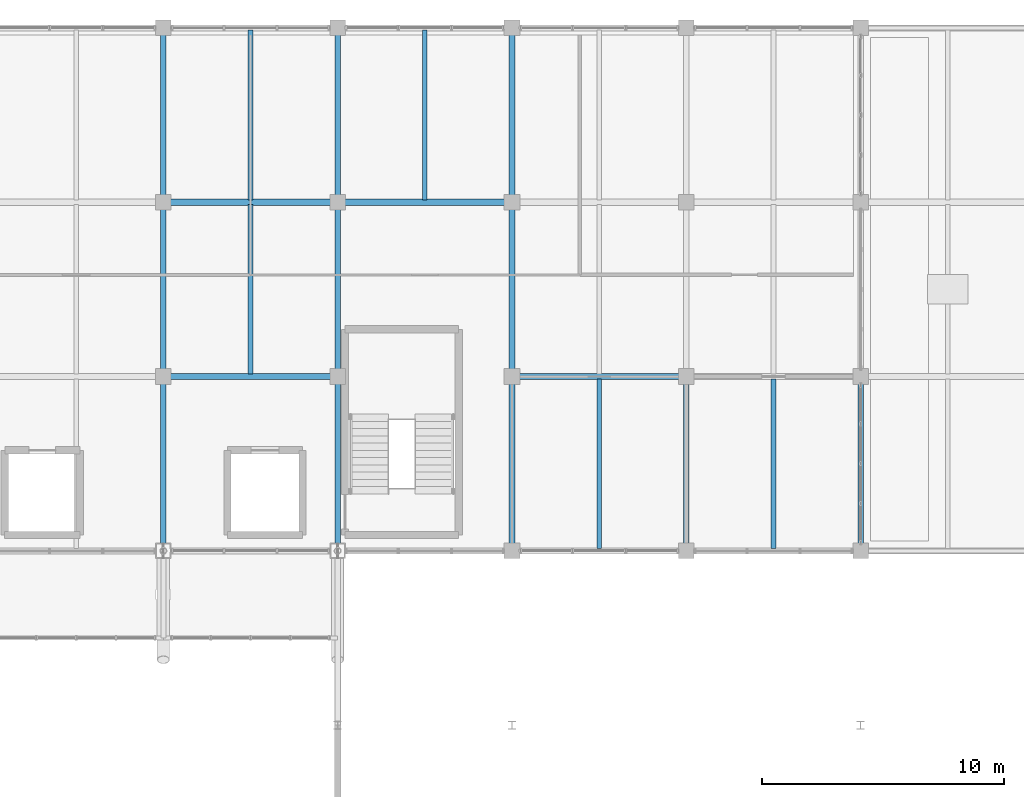
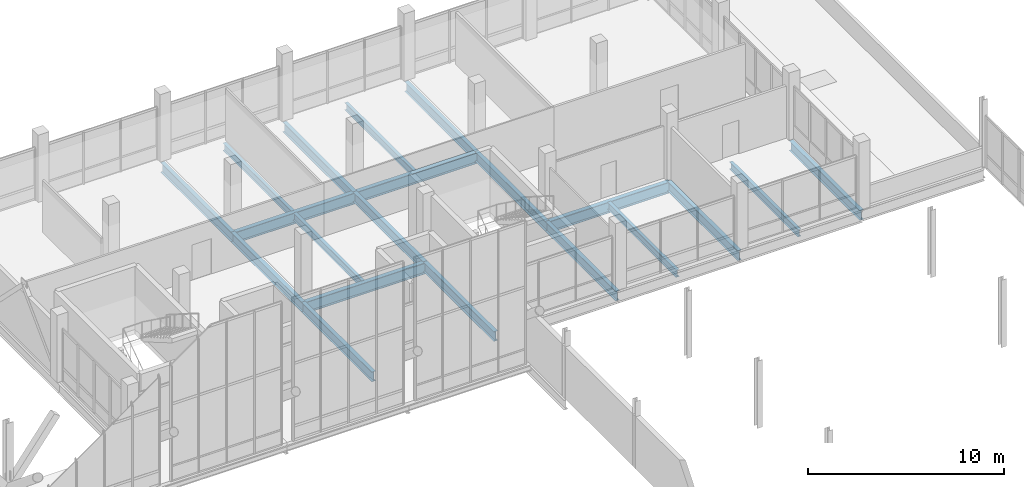
# One storey, part 61 of 102: 20 beams.
"""IFC4 building model written with IfcOpenShell, lengths in metres."""

from ifc_helpers import new_model, si_unit, direction, frame, origin, origin_2d, place, context, subcontext, project, spatial, i_section, extrude, material, material_profile, profile_set, type_object, element, save


model = new_model("IFC4")

# Units and contexts
model_context = context("Model", 3, precision=1e-05, world=origin(), true_north=direction((0.0, 1.0)))
body_context = subcontext(model_context, "Body", "Model", "MODEL_VIEW")
ifc_project = project(units=[si_unit("LENGTHUNIT", "METRE"), si_unit("AREAUNIT", "SQUARE_METRE"), si_unit("VOLUMEUNIT", "CUBIC_METRE"), si_unit("PLANEANGLEUNIT", "RADIAN"), si_unit("MASSUNIT", "GRAM", prefix="KILO")], contexts=[model_context])

# Site, building, storey
site_placement = place(None, origin())
site = spatial("IfcSite", under=ifc_project, at=site_placement, CompositionType="ELEMENT")
building_placement = place(site_placement, origin())
building = spatial("IfcBuilding", under=site, at=building_placement, Name="Yarey Park Central Fire Station", CompositionType="ELEMENT")
storey_placement = place(building_placement, frame((0.0, 0.0, 6.0)))
storey = spatial("IfcBuildingStorey", under=building, at=storey_placement, Name="L02", CompositionType="ELEMENT", Elevation=6.0)

# Beams
ifc_material = material(Name="Steel ASTM A992 Gr. 50", Category="steel")
ifc_material_profile_1 = material_profile(ifc_material, i_section(OverallWidth=0.22900390625, OverallDepth=0.612060546875, WebThickness=0.011962890625, FlangeThickness=0.01953125, at=origin_2d()), Name="W610x125")
ifc_profile_set_1 = profile_set([ifc_material_profile_1], Name="Steel ASTM A992 Gr. 50")
beam_type_1 = type_object("IfcBeamType", Name="STR_BM_W610", PredefinedType="BEAM", material=ifc_profile_set_1)
for number, where, z_axis, x_axis, name in (
    (1, (129.60009765625, 93.60009765625, -0.591064453125), (0.0, 1.0, 0.0), (-1.0, 0.0, 0.0), "BMY L02 X1296 Y936"),
    (2, (129.60009765625, 100.800048828125, -0.591064453125), (0.0, 1.0, 0.0), (-1.0, 0.0, 0.0), "BMY L02 X1296 Y1008"),
    (3, (129.60009765625, 108.0, -0.591064453125), (0.0, 1.0, 0.0), (-1.0, 0.0, 0.0), "BMY L02 X1296 Y1080"),
    (4, (136.800048828125, 93.60009765625, -0.591064453125), (0.0, 1.0, 0.0), (-1.0, 0.0, 0.0), "BMY L02 X1368 Y936"),
    (5, (136.800048828125, 100.800048828125, -0.591064453125), (0.0, 1.0, 0.0), (-1.0, 0.0, 0.0), "BMY L02 X1368 Y1008"),
    (6, (136.800048828125, 108.0, -0.591064453125), (0.0, 1.0, 0.0), (-1.0, 0.0, 0.0), "BMY L02 X1368 Y1080"),
    (7, (144.0, 93.60009765625, -0.591064453125), (0.0, 1.0, 0.0), (-1.0, 0.0, 0.0), "BMY L02 X1440 Y936"),
    (8, (144.0, 100.800048828125, -0.591064453125), (0.0, 1.0, 0.0), (-1.0, 0.0, 0.0), "BMY L02 X1440 Y1008"),
    (9, (144.0, 108.0, -0.591064453125), (0.0, 1.0, 0.0), (-1.0, 0.0, 0.0), "BMY L02 X1440 Y1080"),
    (10, (151.199951171875, 93.60009765625, -0.591064453125), (0.0, 1.0, 0.0), (-1.0, 0.0, 0.0), "BMY L02 X1512 Y936"),
    (11, (158.39990234375, 93.60009765625, -0.591064453125), (0.0, 1.0, 0.0), (-1.0, 0.0, 0.0), "BMY L02 X1584 Y936"),
):
    element("IfcBeam", number, at=place(storey_placement, frame(where, z_axis=z_axis, x_axis=x_axis)), inside=storey, type_object=beam_type_1, Name=name, PredefinedType="BEAM", context=body_context, shape_type="SweptSolid", body=[
        extrude(i_section(OverallWidth=0.22900390625, OverallDepth=0.612060546875, WebThickness=0.011962890625, FlangeThickness=0.01953125, at=origin_2d()), origin(), (0.0, 0.0, 1.0), 7.199951171875),
    ])
ifc_material_profile_2 = material_profile(ifc_material, i_section(OverallWidth=0.256103515625, OverallDepth=0.693115234375, WebThickness=0.014404296875, FlangeThickness=0.023681640625, at=origin_2d()), Name="W690x170")
ifc_profile_set_2 = profile_set([ifc_material_profile_2], Name="Steel ASTM A992 Gr. 50")
beam_type_2 = type_object("IfcBeamType", Name="STR_BM_W690", PredefinedType="BEAM", material=ifc_profile_set_2)
for number, where, z_axis, x_axis, name in (
    (12, (129.60009765625, 100.800048828125, -0.631591796875), (1.0, 0.0, 0.0), (0.0, 1.0, 0.0), "BMX L02 Y1008 X1296"),
    (13, (144.0, 100.800048828125, -0.631591796875), (1.0, 0.0, 0.0), (0.0, 1.0, 0.0), "BMX L02 Y1008 X1440"),
    (14, (129.60009765625, 108.0, -0.631591796875), (1.0, 0.0, 0.0), (0.0, 1.0, 0.0), "BMX L02 Y1080 X1296"),
    (15, (136.800048828125, 108.0, -0.631591796875), (1.0, 0.0, 0.0), (0.0, 1.0, 0.0), "BMX L02 Y1080 X1368"),
):
    element("IfcBeam", number, at=place(storey_placement, frame(where, z_axis=z_axis, x_axis=x_axis)), inside=storey, type_object=beam_type_2, Name=name, PredefinedType="BEAM", context=body_context, shape_type="SweptSolid", body=[
        extrude(i_section(OverallWidth=0.256103515625, OverallDepth=0.693115234375, WebThickness=0.014404296875, FlangeThickness=0.023681640625, at=origin_2d()), origin(), (0.0, 0.0, 1.0), 7.199951171875),
    ])
ifc_material_profile_3 = material_profile(ifc_material, i_section(OverallWidth=0.18994140625, OverallDepth=0.45703125, WebThickness=0.009033203125, FlangeThickness=0.014404296875, at=origin_2d()), Name="W460x74")
ifc_profile_set_3 = profile_set([ifc_material_profile_3], Name="Steel ASTM A992 Gr. 50")
beam_type_3 = type_object("IfcBeamType", Name="STR_JST_W460", PredefinedType="JOIST", material=ifc_profile_set_3)
for number, where, z_axis, x_axis, name in (
    (16, (133.199951171875, 100.89501953125, -0.513427734375), (0.0, 1.0, 0.0), (-1.0, 0.0, 0.0), "JST L02 X1332 Y1008"),
    (17, (133.199951171875, 108.094970703125, -0.513427734375), (0.0, 1.0, 0.0), (-1.0, 0.0, 0.0), "JST L02 X1332 Y1080"),
    (18, (140.39990234375, 108.094970703125, -0.513427734375), (0.0, 1.0, 0.0), (-1.0, 0.0, 0.0), "JST L02 X1404 Y1080"),
    (19, (147.60009765625, 93.695068359375, -0.513427734375), (0.0, 1.0, 0.0), (-1.0, 0.0, 0.0), "JST L02 X1476 Y936"),
    (20, (154.800048828125, 93.695068359375, -0.513427734375), (0.0, 1.0, 0.0), (-1.0, 0.0, 0.0), "JST L02 X1548 Y936"),
):
    element("IfcBeam", number, at=place(storey_placement, frame(where, z_axis=z_axis, x_axis=x_axis)), inside=storey, type_object=beam_type_3, Name=name, PredefinedType="JOIST", context=body_context, shape_type="SweptSolid", body=[
        extrude(i_section(OverallWidth=0.18994140625, OverallDepth=0.45703125, WebThickness=0.009033203125, FlangeThickness=0.014404296875, at=origin_2d()), origin(), (0.0, 0.0, 1.0), 7.010009765625),
    ])

save(model, "model.ifc")
